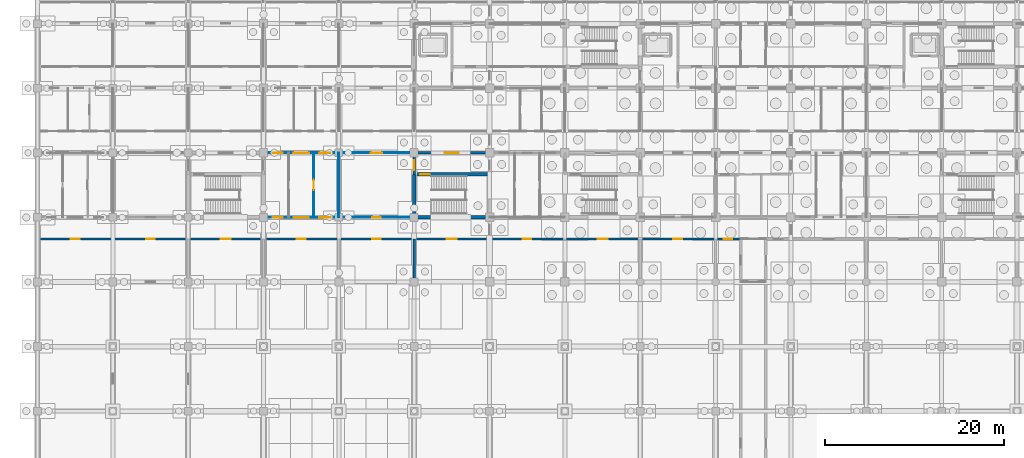
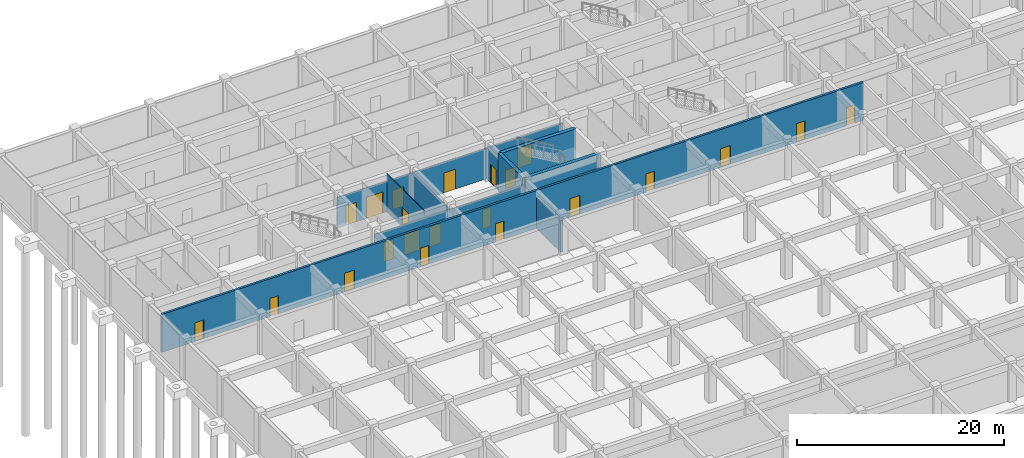
# One storey, part 33 of 85: 22 doors, 11 walls, 22 openings.
"""IFC4 building model written with IfcOpenShell, lengths in metres."""

from ifc_helpers import new_model, si_unit, direction, frame, frame_2d, origin, place, context, subcontext, project, spatial, rectangle, extrude, material, layer, layer_set, type_object, element, fill, save


model = new_model("IFC4")

# Units and contexts
model_context = context("Model", 3, precision=1e-05, world=origin(), true_north=direction((0.0, 1.0)))
body_context = subcontext(model_context, "Body", "Model", "MODEL_VIEW")
ifc_project = project(units=[si_unit("LENGTHUNIT", "METRE"), si_unit("AREAUNIT", "SQUARE_METRE"), si_unit("VOLUMEUNIT", "CUBIC_METRE"), si_unit("PLANEANGLEUNIT", "RADIAN"), si_unit("MASSUNIT", "GRAM", prefix="KILO")], contexts=[model_context])

# Site, building, storey
site_placement = place(None, origin())
site = spatial("IfcSite", under=ifc_project, at=site_placement, CompositionType="ELEMENT")
building_placement = place(site_placement, origin())
building = spatial("IfcBuilding", under=site, at=building_placement, Name="Chengyuan Square Courthouse", CompositionType="ELEMENT")
storey_placement = place(building_placement, frame((0.0, 0.0, -10.199951171875)))
storey = spatial("IfcBuildingStorey", under=building, at=storey_placement, Name="B02", CompositionType="ELEMENT", Elevation=-10.199951171875)

# Wall, openings, doors
ifc_material_1 = material(Name="Concrete C40", Category="concrete")
ifc_layer_1 = layer(ifc_material_1, 0.25)
ifc_layer_set_1 = layer_set([ifc_layer_1], Name="Concrete C40")
wall_type_1 = type_object("IfcWallType", Name="WL-FW1", PredefinedType="STANDARD", material=ifc_layer_set_1)
wall_1_placement = place(storey_placement, frame((0.0400390625, 84.0, 0.0), z_axis=(0.0, 0.0, 1.0), x_axis=(1.0, 0.0, 0.0)))
wall_1 = element("IfcWall", 1, at=wall_1_placement, inside=storey, type_object=wall_type_1, Name="Interior Wall WL-B02-I023", PredefinedType="STANDARD", context=body_context, shape_type="SweptSolid", body=[
    extrude(rectangle(XDim=78.35986328125, YDim=0.25, at=frame_2d((39.179931640625, 0.0))), origin(), (0.0, 0.0, 1.0), 4.47998046875),
])
opening_1_placement = place(wall_1_placement, frame((3.679931640625, 0.0, 0.0)))
opening_1 = element("IfcOpeningElement", 2, at=opening_1_placement, cuts=wall_1, Name="Opening DR-290", PredefinedType="OPENING", context=body_context, shape_type="SweptSolid", body=[
    extrude(rectangle(XDim=1.0, YDim=2.199951171875, at=frame_2d((0.5, 1.10009765625))), frame((0.0, 0.136962890625, 0.0), z_axis=(0.0, -1.0, 0.0), x_axis=(1.0, 0.0, 0.0)), (0.0, 0.0, 1.0), 0.27392578125),
])
opening_2_placement = place(wall_1_placement, frame((12.0849609375, 0.0, 0.0)))
opening_2 = element("IfcOpeningElement", 3, at=opening_2_placement, cuts=wall_1, Name="Opening DR-291", PredefinedType="OPENING", context=body_context, shape_type="SweptSolid", body=[
    extrude(rectangle(XDim=0.949951171875, YDim=2.14990234375, at=frame_2d((0.47509765625, 1.074951171875))), frame((0.0, 0.136962890625, 0.0), z_axis=(0.0, -1.0, 0.0), x_axis=(1.0, 0.0, 0.0)), (0.0, 0.0, 1.0), 0.27392578125),
])
opening_3_placement = place(wall_1_placement, frame((20.409912109375, 0.0, 0.0)))
opening_3 = element("IfcOpeningElement", 4, at=opening_3_placement, cuts=wall_1, Name="Opening DR-292", PredefinedType="OPENING", context=body_context, shape_type="SweptSolid", body=[
    extrude(rectangle(XDim=1.10009765625, YDim=2.199951171875, at=frame_2d((0.550048828125, 1.10009765625))), frame((0.0, 0.136962890625, 0.0), z_axis=(0.0, -1.0, 0.0), x_axis=(1.0, 0.0, 0.0)), (0.0, 0.0, 1.0), 0.27392578125),
])
opening_4_placement = place(wall_1_placement, frame((28.860107421875, 0.0, 0.0)))
opening_4 = element("IfcOpeningElement", 5, at=opening_4_placement, cuts=wall_1, Name="Opening DR-293", PredefinedType="OPENING", context=body_context, shape_type="SweptSolid", body=[
    extrude(rectangle(XDim=1.0, YDim=2.199951171875, at=frame_2d((0.5, 1.10009765625))), frame((0.0, 0.136962890625, 0.0), z_axis=(0.0, -1.0, 0.0), x_axis=(1.0, 0.0, 0.0)), (0.0, 0.0, 1.0), 0.27392578125),
])
opening_5_placement = place(wall_1_placement, frame((37.284912109375, 0.0, 0.0)))
opening_5 = element("IfcOpeningElement", 6, at=opening_5_placement, cuts=wall_1, Name="Opening DR-294", PredefinedType="OPENING", context=body_context, shape_type="SweptSolid", body=[
    extrude(rectangle(XDim=0.949951171875, YDim=2.14990234375, at=frame_2d((0.47509765625, 1.074951171875))), frame((0.0, 0.136962890625, 0.0), z_axis=(0.0, -1.0, 0.0), x_axis=(1.0, 0.0, 0.0)), (0.0, 0.0, 1.0), 0.27392578125),
])
opening_6_placement = place(wall_1_placement, frame((45.610107421875, 0.0, 0.0)))
opening_6 = element("IfcOpeningElement", 7, at=opening_6_placement, cuts=wall_1, Name="Opening DR-295", PredefinedType="OPENING", context=body_context, shape_type="SweptSolid", body=[
    extrude(rectangle(XDim=1.10009765625, YDim=2.199951171875, at=frame_2d((0.550048828125, 1.10009765625))), frame((0.0, 0.136962890625, 0.0), z_axis=(0.0, -1.0, 0.0), x_axis=(1.0, 0.0, 0.0)), (0.0, 0.0, 1.0), 0.27392578125),
])
opening_7_placement = place(wall_1_placement, frame((54.0849609375, 0.0, 0.0)))
opening_7 = element("IfcOpeningElement", 8, at=opening_7_placement, cuts=wall_1, Name="Opening DR-297", PredefinedType="OPENING", context=body_context, shape_type="SweptSolid", body=[
    extrude(rectangle(XDim=0.949951171875, YDim=2.14990234375, at=frame_2d((0.47509765625, 1.074951171875))), frame((0.0, 0.136962890625, 0.0), z_axis=(0.0, -1.0, 0.0), x_axis=(1.0, 0.0, 0.0)), (0.0, 0.0, 1.0), 0.27392578125),
])
opening_8_placement = place(wall_1_placement, frame((62.409912109375, 0.0, 0.0)))
opening_8 = element("IfcOpeningElement", 9, at=opening_8_placement, cuts=wall_1, Name="Opening DR-298", PredefinedType="OPENING", context=body_context, shape_type="SweptSolid", body=[
    extrude(rectangle(XDim=1.10009765625, YDim=2.199951171875, at=frame_2d((0.550048828125, 1.10009765625))), frame((0.0, 0.136962890625, 0.0), z_axis=(0.0, -1.0, 0.0), x_axis=(1.0, 0.0, 0.0)), (0.0, 0.0, 1.0), 0.27392578125),
])
opening_9_placement = place(wall_1_placement, frame((70.860107421875, 0.0, 0.0)))
opening_9 = element("IfcOpeningElement", 10, at=opening_9_placement, cuts=wall_1, Name="Opening DR-299", PredefinedType="OPENING", context=body_context, shape_type="SweptSolid", body=[
    extrude(rectangle(XDim=1.0, YDim=2.199951171875, at=frame_2d((0.5, 1.10009765625))), frame((0.0, 0.136962890625, 0.0), z_axis=(0.0, -1.0, 0.0), x_axis=(1.0, 0.0, 0.0)), (0.0, 0.0, 1.0), 0.27392578125),
])
opening_10_placement = place(wall_1_placement, frame((76.485107421875, 0.0, 0.0)))
opening_10 = element("IfcOpeningElement", 11, at=opening_10_placement, cuts=wall_1, Name="Opening DR-300", PredefinedType="OPENING", context=body_context, shape_type="SweptSolid", body=[
    extrude(rectangle(XDim=0.949951171875, YDim=2.14990234375, at=frame_2d((0.47509765625, 1.074951171875))), frame((0.0, 0.136962890625, 0.0), z_axis=(0.0, -1.0, 0.0), x_axis=(1.0, 0.0, 0.0)), (0.0, 0.0, 1.0), 0.27392578125),
])
ifc_material_2 = material(Name="Steel Q235B Fire Door", Category="steel")
door_type_1 = type_object("IfcDoorType", Name="DT-10", OperationType="NOTDEFINED", PredefinedType="DOOR", material=ifc_material_2)
door_1_placement = place(opening_3_placement, origin())
door_1 = element("IfcDoor", 12, at=door_1_placement, inside=storey, type_object=door_type_1, Name="Interior Door DR-292", OperationType="SINGLE_SWING_LEFT", OverallHeight=2.199951171875, OverallWidth=1.10009765625, PredefinedType="DOOR", context=body_context, shape_type="SweptSolid", body=[
    extrude(rectangle(XDim=1.10009765625, YDim=2.199951171875, at=frame_2d((0.550048828125, 1.10009765625))), frame((0.0, 0.02490234375, 0.0), z_axis=(0.0, -1.0, 0.0), x_axis=(1.0, 0.0, 0.0)), (0.0, 0.0, 1.0), 0.050048828125),
])
fill(opening_3, door_1)
door_2_placement = place(opening_6_placement, origin())
door_2 = element("IfcDoor", 13, at=door_2_placement, inside=storey, type_object=door_type_1, Name="Interior Door DR-295", OperationType="SINGLE_SWING_RIGHT", OverallHeight=2.199951171875, OverallWidth=1.10009765625, PredefinedType="DOOR", context=body_context, shape_type="SweptSolid", body=[
    extrude(rectangle(XDim=1.10009765625, YDim=2.199951171875, at=frame_2d((0.550048828125, 1.10009765625))), frame((0.0, 0.02490234375, 0.0), z_axis=(0.0, -1.0, 0.0), x_axis=(1.0, 0.0, 0.0)), (0.0, 0.0, 1.0), 0.050048828125),
])
fill(opening_6, door_2)
door_3_placement = place(opening_8_placement, origin())
door_3 = element("IfcDoor", 14, at=door_3_placement, inside=storey, type_object=door_type_1, Name="Interior Door DR-298", OperationType="SINGLE_SWING_LEFT", OverallHeight=2.199951171875, OverallWidth=1.10009765625, PredefinedType="DOOR", context=body_context, shape_type="SweptSolid", body=[
    extrude(rectangle(XDim=1.10009765625, YDim=2.199951171875, at=frame_2d((0.550048828125, 1.10009765625))), frame((0.0, 0.02490234375, 0.0), z_axis=(0.0, -1.0, 0.0), x_axis=(1.0, 0.0, 0.0)), (0.0, 0.0, 1.0), 0.050048828125),
])
fill(opening_8, door_3)
door_type_2 = type_object("IfcDoorType", Name="DT-11", OperationType="NOTDEFINED", PredefinedType="DOOR", material=ifc_material_2)
door_4_placement = place(opening_1_placement, origin())
door_4 = element("IfcDoor", 15, at=door_4_placement, inside=storey, type_object=door_type_2, Name="Interior Door DR-290", OperationType="SINGLE_SWING_LEFT", OverallHeight=2.199951171875, OverallWidth=1.0, PredefinedType="DOOR", context=body_context, shape_type="SweptSolid", body=[
    extrude(rectangle(XDim=1.0, YDim=2.199951171875, at=frame_2d((0.5, 1.10009765625))), frame((0.0, 0.02490234375, 0.0), z_axis=(0.0, -1.0, 0.0), x_axis=(1.0, 0.0, 0.0)), (0.0, 0.0, 1.0), 0.050048828125),
])
fill(opening_1, door_4)
door_5_placement = place(opening_4_placement, origin())
door_5 = element("IfcDoor", 16, at=door_5_placement, inside=storey, type_object=door_type_2, Name="Interior Door DR-293", OperationType="SINGLE_SWING_RIGHT", OverallHeight=2.199951171875, OverallWidth=1.0, PredefinedType="DOOR", context=body_context, shape_type="SweptSolid", body=[
    extrude(rectangle(XDim=1.0, YDim=2.199951171875, at=frame_2d((0.5, 1.10009765625))), frame((0.0, 0.02490234375, 0.0), z_axis=(0.0, -1.0, 0.0), x_axis=(1.0, 0.0, 0.0)), (0.0, 0.0, 1.0), 0.050048828125),
])
fill(opening_4, door_5)
door_6_placement = place(opening_9_placement, origin())
door_6 = element("IfcDoor", 17, at=door_6_placement, inside=storey, type_object=door_type_2, Name="Interior Door DR-299", OperationType="SINGLE_SWING_RIGHT", OverallHeight=2.199951171875, OverallWidth=1.0, PredefinedType="DOOR", context=body_context, shape_type="SweptSolid", body=[
    extrude(rectangle(XDim=1.0, YDim=2.199951171875, at=frame_2d((0.5, 1.10009765625))), frame((0.0, 0.02490234375, 0.0), z_axis=(0.0, -1.0, 0.0), x_axis=(1.0, 0.0, 0.0)), (0.0, 0.0, 1.0), 0.050048828125),
])
fill(opening_9, door_6)
door_type_3 = type_object("IfcDoorType", Name="DT-12", OperationType="NOTDEFINED", PredefinedType="DOOR", material=ifc_material_2)
door_7_placement = place(opening_2_placement, origin())
door_7 = element("IfcDoor", 18, at=door_7_placement, inside=storey, type_object=door_type_3, Name="Interior Door DR-291", OperationType="SINGLE_SWING_RIGHT", OverallHeight=2.14990234375, OverallWidth=0.949951171875, PredefinedType="DOOR", context=body_context, shape_type="SweptSolid", body=[
    extrude(rectangle(XDim=0.949951171875, YDim=2.14990234375, at=frame_2d((0.47509765625, 1.074951171875))), frame((0.0, 0.02490234375, 0.0), z_axis=(0.0, -1.0, 0.0), x_axis=(1.0, 0.0, 0.0)), (0.0, 0.0, 1.0), 0.050048828125),
])
fill(opening_2, door_7)
door_8_placement = place(opening_5_placement, origin())
door_8 = element("IfcDoor", 19, at=door_8_placement, inside=storey, type_object=door_type_3, Name="Interior Door DR-294", OperationType="SINGLE_SWING_LEFT", OverallHeight=2.14990234375, OverallWidth=0.949951171875, PredefinedType="DOOR", context=body_context, shape_type="SweptSolid", body=[
    extrude(rectangle(XDim=0.949951171875, YDim=2.14990234375, at=frame_2d((0.47509765625, 1.074951171875))), frame((0.0, 0.02490234375, 0.0), z_axis=(0.0, -1.0, 0.0), x_axis=(1.0, 0.0, 0.0)), (0.0, 0.0, 1.0), 0.050048828125),
])
fill(opening_5, door_8)
door_9_placement = place(opening_7_placement, origin())
door_9 = element("IfcDoor", 20, at=door_9_placement, inside=storey, type_object=door_type_3, Name="Interior Door DR-297", OperationType="SINGLE_SWING_RIGHT", OverallHeight=2.14990234375, OverallWidth=0.949951171875, PredefinedType="DOOR", context=body_context, shape_type="SweptSolid", body=[
    extrude(rectangle(XDim=0.949951171875, YDim=2.14990234375, at=frame_2d((0.47509765625, 1.074951171875))), frame((0.0, 0.02490234375, 0.0), z_axis=(0.0, -1.0, 0.0), x_axis=(1.0, 0.0, 0.0)), (0.0, 0.0, 1.0), 0.050048828125),
])
fill(opening_7, door_9)
door_10_placement = place(opening_10_placement, origin())
door_10 = element("IfcDoor", 21, at=door_10_placement, inside=storey, type_object=door_type_3, Name="Interior Door DR-300", OperationType="SINGLE_SWING_LEFT", OverallHeight=2.14990234375, OverallWidth=0.949951171875, PredefinedType="DOOR", context=body_context, shape_type="SweptSolid", body=[
    extrude(rectangle(XDim=0.949951171875, YDim=2.14990234375, at=frame_2d((0.47509765625, 1.074951171875))), frame((0.0, 0.02490234375, 0.0), z_axis=(0.0, -1.0, 0.0), x_axis=(1.0, 0.0, 0.0)), (0.0, 0.0, 1.0), 0.050048828125),
])
fill(opening_10, door_10)

# Wall, opening, door
wall_2_placement = place(storey_placement, frame((42.0, 93.60009765625, 0.0), z_axis=(0.0, 0.0, 1.0), x_axis=(1.0, 0.0, 0.0)))
wall_2 = element("IfcWall", 22, at=wall_2_placement, inside=storey, type_object=wall_type_1, Name="Interior Wall WL-B02-I052", PredefinedType="STANDARD", context=body_context, shape_type="SweptSolid", body=[
    extrude(rectangle(XDim=8.39990234375, YDim=0.25, at=frame_2d((4.199951171875, 0.0))), origin(), (0.0, 0.0, 1.0), 3.6298828125),
])
opening_11_placement = place(wall_2_placement, frame((3.387451171875, 0.0, 0.0)))
opening_11 = element("IfcOpeningElement", 23, at=opening_11_placement, cuts=wall_2, Name="Opening DR-033", PredefinedType="OPENING", context=body_context, shape_type="SweptSolid", body=[
    extrude(rectangle(XDim=1.60009765625, YDim=2.300048828125, at=frame_2d((0.800048828125, 1.14990234375))), frame((0.0, 0.136962890625, 0.0), z_axis=(0.0, -1.0, 0.0), x_axis=(1.0, 0.0, 0.0)), (0.0, 0.0, 1.0), 0.27392578125),
])
ifc_material_3 = material(Name="Steel Q235B Glazed Fire Door", Category="steel")
door_type_4 = type_object("IfcDoorType", Name="DT-17", OperationType="DOUBLE_DOOR_SINGLE_SWING", PredefinedType="DOOR", material=ifc_material_3)
door_11_placement = place(opening_11_placement, frame((1.60009765625, 0.0, 0.0), z_axis=(0.0, 0.0, 1.0), x_axis=(-1.0, 0.0, 0.0)))
door_11 = element("IfcDoor", 24, at=door_11_placement, inside=storey, type_object=door_type_4, Name="Interior Door DR-033", OperationType="DOUBLE_DOOR_SINGLE_SWING", OverallHeight=2.300048828125, OverallWidth=1.60009765625, PredefinedType="DOOR", context=body_context, shape_type="SweptSolid", body=[
    extrude(rectangle(XDim=1.60009765625, YDim=2.300048828125, at=frame_2d((0.800048828125, 1.14990234375))), frame((0.0, 0.02490234375, 0.0), z_axis=(0.0, -1.0, 0.0), x_axis=(1.0, 0.0, 0.0)), (0.0, 0.0, 1.0), 0.050048828125),
])
fill(opening_11, door_11)

# Wall
wall_3_placement = place(storey_placement, frame((42.0, 79.199951171875, 0.0), z_axis=(0.0, 0.0, 1.0), x_axis=(0.0, 1.0, 0.0)))
element("IfcWall", 25, at=wall_3_placement, inside=storey, type_object=wall_type_1, Name="Interior Wall WL-B02-I146", PredefinedType="STANDARD", context=body_context, shape_type="SweptSolid", body=[
    extrude(rectangle(XDim=4.800048828125, YDim=0.25, at=frame_2d((2.39990234375, 0.0))), origin(), (0.0, 0.0, 1.0), 3.72998046875),
])

# Wall, opening, door
wall_4_placement = place(storey_placement, frame((42.0, 91.199951171875, 0.0), z_axis=(0.0, 0.0, 1.0), x_axis=(0.0, 1.0, 0.0)))
wall_4 = element("IfcWall", 26, at=wall_4_placement, inside=storey, type_object=wall_type_1, Name="Interior Wall WL-B02-I148", PredefinedType="STANDARD", context=body_context, shape_type="SweptSolid", body=[
    extrude(rectangle(XDim=2.400146484375, YDim=0.25, at=frame_2d((1.2001953125, 0.0))), origin(), (0.0, 0.0, 1.0), 3.72998046875),
])
opening_12_placement = place(wall_4_placement, frame((0.465087890625, 0.0, 0.0)))
opening_12 = element("IfcOpeningElement", 27, at=opening_12_placement, cuts=wall_4, Name="Opening DR-034", PredefinedType="OPENING", context=body_context, shape_type="SweptSolid", body=[
    extrude(rectangle(XDim=1.10009765625, YDim=2.199951171875, at=frame_2d((0.550048828125, 1.10009765625))), frame((0.0, 0.136962890625, 0.0), z_axis=(0.0, -1.0, 0.0), x_axis=(1.0, 0.0, 0.0)), (0.0, 0.0, 1.0), 0.27392578125),
])
door_12_placement = place(opening_12_placement, origin())
door_12 = element("IfcDoor", 28, at=door_12_placement, inside=storey, type_object=door_type_1, Name="Interior Door DR-034", OperationType="SINGLE_SWING_LEFT", OverallHeight=2.199951171875, OverallWidth=1.10009765625, PredefinedType="DOOR", context=body_context, shape_type="SweptSolid", body=[
    extrude(rectangle(XDim=1.10009765625, YDim=2.199951171875, at=frame_2d((0.550048828125, 1.10009765625))), frame((0.0, 0.02490234375, 0.0), z_axis=(0.0, -1.0, 0.0), x_axis=(1.0, 0.0, 0.0)), (0.0, 0.0, 1.0), 0.050048828125),
])
fill(opening_12, door_12)

# Wall, openings, doors
ifc_material_4 = material(Name="Gypsum Plasterboard Acoustic Stud Partition")
ifc_layer_2 = layer(ifc_material_4, 0.10009765625)
ifc_layer_set_2 = layer_set([ifc_layer_2], Name="Gypsum Plasterboard Acoustic Stud Partition")
wall_type_2 = type_object("IfcWallType", Name="WL-PT6", PredefinedType="STANDARD", material=ifc_layer_set_2)
wall_5_placement = place(storey_placement, frame((25.199951171875, 86.39990234375, 0.0), z_axis=(0.0, 0.0, 1.0), x_axis=(1.0, 0.0, 0.0)))
wall_5 = element("IfcWall", 29, at=wall_5_placement, inside=storey, type_object=wall_type_2, Name="Interior Wall WL-B02-I029", PredefinedType="STANDARD", context=body_context, shape_type="SweptSolid", body=[
    extrude(rectangle(XDim=16.800048828125, YDim=0.10009765625, at=frame_2d((8.39990234375, 0.0))), origin(), (0.0, 0.0, 1.0), 3.6298828125),
])
opening_13_placement = place(wall_5_placement, frame((1.0048828125, 0.0, 0.0)))
opening_13 = element("IfcOpeningElement", 30, at=opening_13_placement, cuts=wall_5, Name="Opening DR-230", PredefinedType="OPENING", context=body_context, shape_type="SweptSolid", body=[
    extrude(rectangle(XDim=1.159912109375, YDim=2.300048828125, at=frame_2d((0.580078125, 1.14990234375))), frame((0.0, 0.06201171875, 0.0), z_axis=(0.0, -1.0, 0.0), x_axis=(1.0, 0.0, 0.0)), (0.0, 0.0, 1.0), 0.1240234375),
])
opening_14_placement = place(wall_5_placement, frame((3.35009765625, 0.0, 0.0)))
opening_14 = element("IfcOpeningElement", 31, at=opening_14_placement, cuts=wall_5, Name="Opening DR-232", PredefinedType="OPENING", context=body_context, shape_type="SweptSolid", body=[
    extrude(rectangle(XDim=1.699951171875, YDim=2.449951171875, at=frame_2d((0.85009765625, 1.22509765625))), frame((0.0, 0.06201171875, 0.0), z_axis=(0.0, -1.0, 0.0), x_axis=(1.0, 0.0, 0.0)), (0.0, 0.0, 1.0), 0.1240234375),
])
opening_15_placement = place(wall_5_placement, frame((6.1875, 0.0, 0.0)))
opening_15 = element("IfcOpeningElement", 32, at=opening_15_placement, cuts=wall_5, Name="Opening DR-233", PredefinedType="OPENING", context=body_context, shape_type="SweptSolid", body=[
    extrude(rectangle(XDim=1.280029296875, YDim=2.35009765625, at=frame_2d((0.64013671875, 1.175048828125))), frame((0.0, 0.06201171875, 0.0), z_axis=(0.0, -1.0, 0.0), x_axis=(1.0, 0.0, 0.0)), (0.0, 0.0, 1.0), 0.1240234375),
])
opening_16_placement = place(wall_5_placement, frame((12.117431640625, 0.0, 0.0)))
opening_16 = element("IfcOpeningElement", 33, at=opening_16_placement, cuts=wall_5, Name="Opening DR-234", PredefinedType="OPENING", context=body_context, shape_type="SweptSolid", body=[
    extrude(rectangle(XDim=0.93994140625, YDim=2.300048828125, at=frame_2d((0.469970703125, 1.14990234375))), frame((0.0, 0.06201171875, 0.0), z_axis=(0.0, -1.0, 0.0), x_axis=(1.0, 0.0, 0.0)), (0.0, 0.0, 1.0), 0.1240234375),
])
ifc_material_5 = material(Name="Acoustic Larch Veneer Double Door")
door_type_5 = type_object("IfcDoorType", Name="DT-24", OperationType="DOUBLE_DOOR_SINGLE_SWING", PredefinedType="DOOR", material=ifc_material_5)
door_13_placement = place(opening_14_placement, frame((1.699951171875, 0.0, 0.0), z_axis=(0.0, 0.0, 1.0), x_axis=(-1.0, 0.0, 0.0)))
door_13 = element("IfcDoor", 34, at=door_13_placement, inside=storey, type_object=door_type_5, Name="Interior Door DR-232", OperationType="DOUBLE_DOOR_SINGLE_SWING", OverallHeight=2.449951171875, OverallWidth=1.699951171875, PredefinedType="DOOR", context=body_context, shape_type="SweptSolid", body=[
    extrude(rectangle(XDim=1.699951171875, YDim=2.449951171875, at=frame_2d((0.85009765625, 1.22509765625))), frame((0.0, 0.02490234375, 0.0), z_axis=(0.0, -1.0, 0.0), x_axis=(1.0, 0.0, 0.0)), (0.0, 0.0, 1.0), 0.050048828125),
])
fill(opening_14, door_13)
ifc_material_6 = material(Name="Acoustic Solid-Core Timber Door", Category="wood")
door_type_6 = type_object("IfcDoorType", Name="DT-35", OperationType="NOTDEFINED", PredefinedType="DOOR", material=ifc_material_6)
door_14_placement = place(opening_13_placement, origin())
door_14 = element("IfcDoor", 35, at=door_14_placement, inside=storey, type_object=door_type_6, Name="Interior Door DR-230", OperationType="SINGLE_SWING_LEFT", OverallHeight=2.300048828125, OverallWidth=1.159912109375, PredefinedType="DOOR", context=body_context, shape_type="SweptSolid", body=[
    extrude(rectangle(XDim=1.159912109375, YDim=2.300048828125, at=frame_2d((0.580078125, 1.14990234375))), frame((0.0, 0.02490234375, 0.0), z_axis=(0.0, -1.0, 0.0), x_axis=(1.0, 0.0, 0.0)), (0.0, 0.0, 1.0), 0.050048828125),
])
fill(opening_13, door_14)
door_type_7 = type_object("IfcDoorType", Name="DT-38", OperationType="NOTDEFINED", PredefinedType="DOOR", material=ifc_material_6)
door_15_placement = place(opening_15_placement, origin())
door_15 = element("IfcDoor", 36, at=door_15_placement, inside=storey, type_object=door_type_7, Name="Interior Door DR-233", OperationType="SINGLE_SWING_LEFT", OverallHeight=2.35009765625, OverallWidth=1.280029296875, PredefinedType="DOOR", context=body_context, shape_type="SweptSolid", body=[
    extrude(rectangle(XDim=1.280029296875, YDim=2.35009765625, at=frame_2d((0.64013671875, 1.175048828125))), frame((0.0, 0.02490234375, 0.0), z_axis=(0.0, -1.0, 0.0), x_axis=(1.0, 0.0, 0.0)), (0.0, 0.0, 1.0), 0.050048828125),
])
fill(opening_15, door_15)
door_type_8 = type_object("IfcDoorType", Name="DT-39", OperationType="NOTDEFINED", PredefinedType="DOOR", material=ifc_material_6)
door_16_placement = place(opening_16_placement, origin())
door_16 = element("IfcDoor", 37, at=door_16_placement, inside=storey, type_object=door_type_8, Name="Interior Door DR-234", OperationType="SINGLE_SWING_RIGHT", OverallHeight=2.300048828125, OverallWidth=0.93994140625, PredefinedType="DOOR", context=body_context, shape_type="SweptSolid", body=[
    extrude(rectangle(XDim=0.93994140625, YDim=2.300048828125, at=frame_2d((0.469970703125, 1.14990234375))), frame((0.0, 0.02490234375, 0.0), z_axis=(0.0, -1.0, 0.0), x_axis=(1.0, 0.0, 0.0)), (0.0, 0.0, 1.0), 0.050048828125),
])
fill(opening_16, door_16)

wall_6_placement = place(storey_placement, frame((25.199951171875, 93.60009765625, 0.0), z_axis=(0.0, 0.0, 1.0), x_axis=(1.0, 0.0, 0.0)))
wall_6 = element("IfcWall", 38, at=wall_6_placement, inside=storey, type_object=wall_type_2, Name="Interior Wall WL-B02-I051", PredefinedType="STANDARD", context=body_context, shape_type="SweptSolid", body=[
    extrude(rectangle(XDim=16.800048828125, YDim=0.10009765625, at=frame_2d((8.39990234375, 0.0))), origin(), (0.0, 0.0, 1.0), 3.6298828125),
])
opening_17_placement = place(wall_6_placement, frame((1.0048828125, 0.0, 0.0)))
opening_17 = element("IfcOpeningElement", 39, at=opening_17_placement, cuts=wall_6, Name="Opening DR-162", PredefinedType="OPENING", context=body_context, shape_type="SweptSolid", body=[
    extrude(rectangle(XDim=1.159912109375, YDim=2.300048828125, at=frame_2d((0.580078125, 1.14990234375))), frame((0.0, 0.06201171875, 0.0), z_axis=(0.0, -1.0, 0.0), x_axis=(1.0, 0.0, 0.0)), (0.0, 0.0, 1.0), 0.1240234375),
])
opening_18_placement = place(wall_6_placement, frame((3.300048828125, 0.0, 0.0)))
opening_18 = element("IfcOpeningElement", 40, at=opening_18_placement, cuts=wall_6, Name="Opening DR-163", PredefinedType="OPENING", context=body_context, shape_type="SweptSolid", body=[
    extrude(rectangle(XDim=1.800048828125, YDim=2.5, at=frame_2d((0.89990234375, 1.25))), frame((0.0, 0.06201171875, 0.0), z_axis=(0.0, -1.0, 0.0), x_axis=(1.0, 0.0, 0.0)), (0.0, 0.0, 1.0), 0.1240234375),
])
opening_19_placement = place(wall_6_placement, frame((6.20751953125, 0.0, 0.0)))
opening_19 = element("IfcOpeningElement", 41, at=opening_19_placement, cuts=wall_6, Name="Opening DR-164", PredefinedType="OPENING", context=body_context, shape_type="SweptSolid", body=[
    extrude(rectangle(XDim=1.239990234375, YDim=2.300048828125, at=frame_2d((0.6201171875, 1.14990234375))), frame((0.0, 0.06201171875, 0.0), z_axis=(0.0, -1.0, 0.0), x_axis=(1.0, 0.0, 0.0)), (0.0, 0.0, 1.0), 0.1240234375),
])
opening_20_placement = place(wall_6_placement, frame((11.947509765625, 0.0, 0.0)))
opening_20 = element("IfcOpeningElement", 42, at=opening_20_placement, cuts=wall_6, Name="Opening DR-165", PredefinedType="OPENING", context=body_context, shape_type="SweptSolid", body=[
    extrude(rectangle(XDim=1.280029296875, YDim=2.35009765625, at=frame_2d((0.64013671875, 1.175048828125))), frame((0.0, 0.06201171875, 0.0), z_axis=(0.0, -1.0, 0.0), x_axis=(1.0, 0.0, 0.0)), (0.0, 0.0, 1.0), 0.1240234375),
])
door_type_9 = type_object("IfcDoorType", Name="DT-21", OperationType="DOUBLE_DOOR_SINGLE_SWING", PredefinedType="DOOR", material=ifc_material_5)
door_17_placement = place(opening_18_placement, frame((1.800048828125, 0.0, 0.0), z_axis=(0.0, 0.0, 1.0), x_axis=(-1.0, 0.0, 0.0)))
door_17 = element("IfcDoor", 43, at=door_17_placement, inside=storey, type_object=door_type_9, Name="Interior Door DR-163", OperationType="DOUBLE_DOOR_SINGLE_SWING", OverallHeight=2.5, OverallWidth=1.800048828125, PredefinedType="DOOR", context=body_context, shape_type="SweptSolid", body=[
    extrude(rectangle(XDim=1.800048828125, YDim=2.5, at=frame_2d((0.89990234375, 1.25))), frame((0.0, 0.02490234375, 0.0), z_axis=(0.0, -1.0, 0.0), x_axis=(1.0, 0.0, 0.0)), (0.0, 0.0, 1.0), 0.050048828125),
])
fill(opening_18, door_17)
door_18_placement = place(opening_17_placement, origin())
door_18 = element("IfcDoor", 44, at=door_18_placement, inside=storey, type_object=door_type_6, Name="Interior Door DR-162", OperationType="SINGLE_SWING_RIGHT", OverallHeight=2.300048828125, OverallWidth=1.159912109375, PredefinedType="DOOR", context=body_context, shape_type="SweptSolid", body=[
    extrude(rectangle(XDim=1.159912109375, YDim=2.300048828125, at=frame_2d((0.580078125, 1.14990234375))), frame((0.0, 0.02490234375, 0.0), z_axis=(0.0, -1.0, 0.0), x_axis=(1.0, 0.0, 0.0)), (0.0, 0.0, 1.0), 0.050048828125),
])
fill(opening_17, door_18)
door_type_10 = type_object("IfcDoorType", Name="DT-37", OperationType="NOTDEFINED", PredefinedType="DOOR", material=ifc_material_6)
door_19_placement = place(opening_19_placement, origin())
door_19 = element("IfcDoor", 45, at=door_19_placement, inside=storey, type_object=door_type_10, Name="Interior Door DR-164", OperationType="SINGLE_SWING_LEFT", OverallHeight=2.300048828125, OverallWidth=1.239990234375, PredefinedType="DOOR", context=body_context, shape_type="SweptSolid", body=[
    extrude(rectangle(XDim=1.239990234375, YDim=2.300048828125, at=frame_2d((0.6201171875, 1.14990234375))), frame((0.0, 0.02490234375, 0.0), z_axis=(0.0, -1.0, 0.0), x_axis=(1.0, 0.0, 0.0)), (0.0, 0.0, 1.0), 0.050048828125),
])
fill(opening_19, door_19)
door_20_placement = place(opening_20_placement, origin())
door_20 = element("IfcDoor", 46, at=door_20_placement, inside=storey, type_object=door_type_7, Name="Interior Door DR-165", OperationType="SINGLE_SWING_RIGHT", OverallHeight=2.35009765625, OverallWidth=1.280029296875, PredefinedType="DOOR", context=body_context, shape_type="SweptSolid", body=[
    extrude(rectangle(XDim=1.280029296875, YDim=2.35009765625, at=frame_2d((0.64013671875, 1.175048828125))), frame((0.0, 0.02490234375, 0.0), z_axis=(0.0, -1.0, 0.0), x_axis=(1.0, 0.0, 0.0)), (0.0, 0.0, 1.0), 0.050048828125),
])
fill(opening_20, door_20)

# Wall, opening, door
wall_7_placement = place(storey_placement, frame((30.800048828125, 86.39990234375, 0.0), z_axis=(0.0, 0.0, 1.0), x_axis=(0.0, 1.0, 0.0)))
wall_7 = element("IfcWall", 47, at=wall_7_placement, inside=storey, type_object=wall_type_2, Name="Interior Wall WL-B02-I139", PredefinedType="STANDARD", context=body_context, shape_type="SweptSolid", body=[
    extrude(rectangle(XDim=7.2001953125, YDim=0.10009765625, at=frame_2d((3.60009765625, 0.0))), origin(), (0.0, 0.0, 1.0), 4.47998046875),
])
opening_21_placement = place(wall_7_placement, frame((3.0, 0.0, 0.0)))
opening_21 = element("IfcOpeningElement", 48, at=opening_21_placement, cuts=wall_7, Name="Opening DR-231", PredefinedType="OPENING", context=body_context, shape_type="SweptSolid", body=[
    extrude(rectangle(XDim=1.199951171875, YDim=2.35009765625, at=frame_2d((0.60009765625, 1.175048828125))), frame((0.0, 0.06201171875, 0.0), z_axis=(0.0, -1.0, 0.0), x_axis=(1.0, 0.0, 0.0)), (0.0, 0.0, 1.0), 0.1240234375),
])
door_type_11 = type_object("IfcDoorType", Name="DT-36", OperationType="NOTDEFINED", PredefinedType="DOOR", material=ifc_material_6)
door_21_placement = place(opening_21_placement, origin())
door_21 = element("IfcDoor", 49, at=door_21_placement, inside=storey, type_object=door_type_11, Name="Interior Door DR-231", OperationType="SINGLE_SWING_RIGHT", OverallHeight=2.35009765625, OverallWidth=1.199951171875, PredefinedType="DOOR", context=body_context, shape_type="SweptSolid", body=[
    extrude(rectangle(XDim=1.199951171875, YDim=2.35009765625, at=frame_2d((0.60009765625, 1.175048828125))), frame((0.0, 0.02490234375, 0.0), z_axis=(0.0, -1.0, 0.0), x_axis=(1.0, 0.0, 0.0)), (0.0, 0.0, 1.0), 0.050048828125),
])
fill(opening_21, door_21)

# Walls
wall_8_placement = place(storey_placement, frame((33.60009765625, 86.39990234375, 0.0), z_axis=(0.0, 0.0, 1.0), x_axis=(0.0, 1.0, 0.0)))
element("IfcWall", 50, at=wall_8_placement, inside=storey, type_object=wall_type_2, Name="Interior Wall WL-B02-I142", PredefinedType="STANDARD", context=body_context, shape_type="SweptSolid", body=[
    extrude(rectangle(XDim=7.2001953125, YDim=0.10009765625, at=frame_2d((3.60009765625, 0.0))), origin(), (0.0, 0.0, 1.0), 3.72998046875),
])
ifc_material_7 = material(Name="Concrete C50", Category="concrete")
ifc_layer_3 = layer(ifc_material_7, 0.39990234375)
ifc_layer_set_3 = layer_set([ifc_layer_3], Name="Concrete C50")
wall_type_3 = type_object("IfcWallType", Name="WL-SW1", PredefinedType="SHEAR", material=ifc_layer_set_3)
wall_9_placement = place(storey_placement, frame((42.0, 86.39990234375, 0.0), z_axis=(0.0, 0.0, 1.0), x_axis=(1.0, 0.0, 0.0)))
element("IfcWall", 51, at=wall_9_placement, inside=storey, type_object=wall_type_3, Name="Interior Wall WL-B02-I030", PredefinedType="SHEAR", context=body_context, shape_type="SweptSolid", body=[
    extrude(rectangle(XDim=8.39990234375, YDim=0.39990234375, at=frame_2d((4.199951171875, 0.0))), origin(), (0.0, 0.0, 1.0), 4.47998046875),
])

# Wall, opening, door
wall_10_placement = place(storey_placement, frame((42.0, 91.199951171875, 0.0), z_axis=(0.0, 0.0, 1.0), x_axis=(1.0, 0.0, 0.0)))
wall_10 = element("IfcWall", 52, at=wall_10_placement, inside=storey, type_object=wall_type_3, Name="Interior Wall WL-B02-I043", PredefinedType="SHEAR", context=body_context, shape_type="SweptSolid", body=[
    extrude(rectangle(XDim=8.39990234375, YDim=0.39990234375, at=frame_2d((4.199951171875, 0.0))), origin(), (0.0, 0.0, 1.0), 4.47998046875),
])
opening_22_placement = place(wall_10_placement, frame((0.64990234375, 0.0, 0.0)))
opening_22 = element("IfcOpeningElement", 53, at=opening_22_placement, cuts=wall_10, Name="Opening DR-015", PredefinedType="OPENING", context=body_context, shape_type="SweptSolid", body=[
    extrude(rectangle(XDim=1.10009765625, YDim=2.199951171875, at=frame_2d((0.550048828125, 1.10009765625))), frame((0.0, 0.2119140625, 0.0), z_axis=(0.0, -1.0, 0.0), x_axis=(1.0, 0.0, 0.0)), (0.0, 0.0, 1.0), 0.423828125),
])
door_22_placement = place(opening_22_placement, frame((1.10009765625, 0.0, 0.0), z_axis=(0.0, 0.0, 1.0), x_axis=(-1.0, 0.0, 0.0)))
door_22 = element("IfcDoor", 54, at=door_22_placement, inside=storey, type_object=door_type_1, Name="Smoke-Proof Stairwell Fire Door ST-5 DR-015", OperationType="SINGLE_SWING_LEFT", OverallHeight=2.199951171875, OverallWidth=1.10009765625, PredefinedType="DOOR", context=body_context, shape_type="SweptSolid", body=[
    extrude(rectangle(XDim=1.10009765625, YDim=2.199951171875, at=frame_2d((0.550048828125, 1.10009765625))), frame((0.0, 0.02490234375, 0.0), z_axis=(0.0, -1.0, 0.0), x_axis=(1.0, 0.0, 0.0)), (0.0, 0.0, 1.0), 0.050048828125),
])
fill(opening_22, door_22)

# Wall
wall_11_placement = place(storey_placement, frame((42.0, 86.39990234375, 0.0), z_axis=(0.0, 0.0, 1.0), x_axis=(0.0, 1.0, 0.0)))
element("IfcWall", 55, at=wall_11_placement, inside=storey, type_object=wall_type_3, Name="Interior Wall WL-B02-I147", PredefinedType="SHEAR", context=body_context, shape_type="SweptSolid", body=[
    extrude(rectangle(XDim=4.800048828125, YDim=0.39990234375, at=frame_2d((2.39990234375, 0.0))), origin(), (0.0, 0.0, 1.0), 4.47998046875),
])

save(model, "model.ifc")
